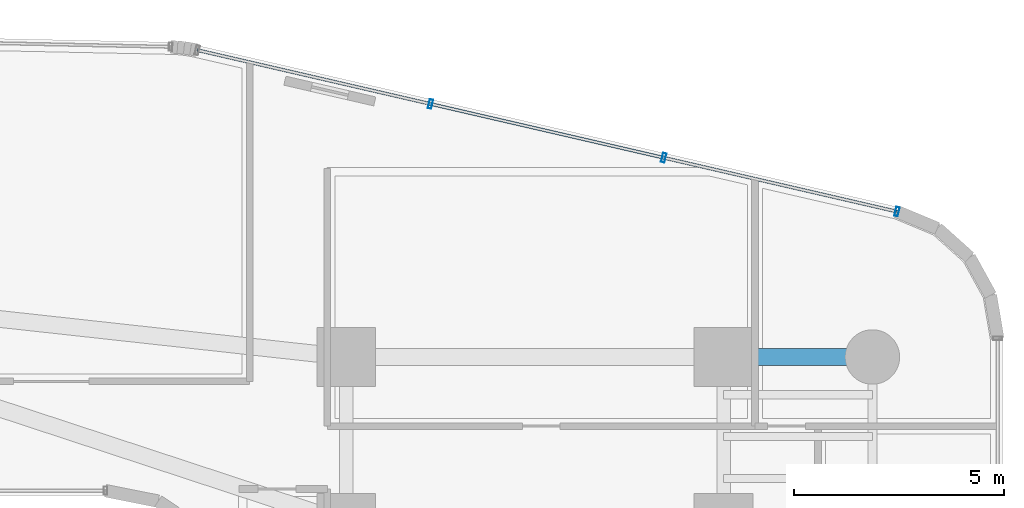
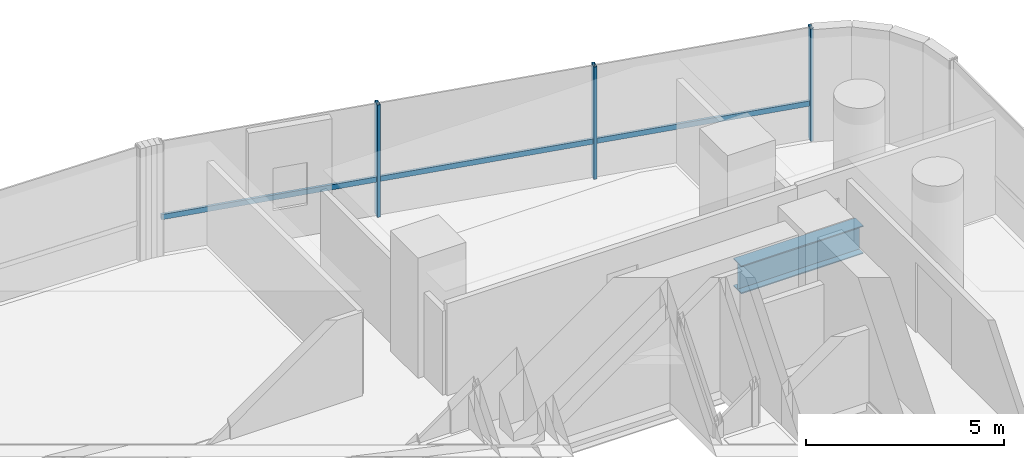
# One storey, part 25 of 40: 4 members, 1 beam, 1 element without a shape of its own.
"""IFC4 building model written with IfcOpenShell, lengths in metres."""

from ifc_helpers import new_model, si_unit, direction, frame, origin, origin_2d, place, context, subcontext, project, spatial, hollow_rectangle, i_section, extrude, source, transform, mapped, material, material_profile, profile_set, type_object, element, aggregate, save


model = new_model("IFC4")

# Units and contexts
model_context = context("Model", 3, precision=1e-05, world=origin(), true_north=direction((0.0, 1.0)))
body_context = subcontext(model_context, "Body", "Model", "MODEL_VIEW")
ifc_project = project(units=[si_unit("LENGTHUNIT", "METRE"), si_unit("AREAUNIT", "SQUARE_METRE"), si_unit("VOLUMEUNIT", "CUBIC_METRE"), si_unit("PLANEANGLEUNIT", "RADIAN"), si_unit("MASSUNIT", "GRAM", prefix="KILO")], contexts=[model_context])

# Site, building, storey
site_placement = place(None, origin())
site = spatial("IfcSite", under=ifc_project, at=site_placement, CompositionType="ELEMENT")
building_placement = place(site_placement, origin())
building = spatial("IfcBuilding", under=site, at=building_placement, Name="Valdorenza Pilgrim Sanctuary Tower", CompositionType="ELEMENT")
storey_placement = place(building_placement, frame((0.0, 0.0, 81.5)))
storey = spatial("IfcBuildingStorey", under=building, at=storey_placement, Name="L20", CompositionType="ELEMENT", Elevation=81.5)

# Beam
ifc_material_1 = material(Name="Steel ASTM A992 Grade 50", Category="steel")
ifc_material_profile_1 = material_profile(ifc_material_1, i_section(OverallWidth=0.39990234375, OverallDepth=0.862060546875, WebThickness=0.019775390625, FlangeThickness=0.032470703125, at=origin_2d()), Name="W33X221")
ifc_profile_set_1 = profile_set([ifc_material_profile_1], Name="Steel ASTM A992 Grade 50")
beam_type = type_object("IfcBeamType", Name="STR-BM-GRD-W33", PredefinedType="BEAM", material=ifc_profile_set_1)
shared_shape_1 = source(origin(), body_context, "Body", "SweptSolid", [
    extrude(i_section(OverallWidth=0.39990234375, OverallDepth=0.862060546875, WebThickness=0.019775390625, FlangeThickness=0.032470703125, at=origin_2d()), origin(), (0.0, 0.0, 1.0), 3.5498046875),
])
beam_placement = place(storey_placement, frame((24.85009765625, 13.5, -0.6708984375), z_axis=(1.0, 0.0, 0.0), x_axis=(0.0, 1.0, 0.0)))
element("IfcBeam", 1, at=beam_placement, inside=storey, type_object=beam_type, Name="L20 Floor Girder WB-XE-N2", PredefinedType="BEAM", context=body_context, shape_type="MappedRepresentation", body=[
    mapped(shared_shape_1, transform((0.0, 0.0, 0.0), x_axis=(1.0, 0.0, 0.0), y_axis=(0.0, 1.0, 0.0), z_axis=(0.0, 0.0, 1.0), scale=1.0)),
])

# Curtain wall, members
ifc_material_2 = material(Name="Curtain-wall IGU glazing", Category="glass")
curtain_wall_type = type_object("IfcCurtainWallType", Name="CW-SYS-03", PredefinedType="NOTDEFINED", material=ifc_material_2)
curtain_wall_placement = place(storey_placement, origin())
curtain_wall = element("IfcCurtainWall", 2, at=curtain_wall_placement, inside=storey, type_object=curtain_wall_type, Name="L20 Curtain Wall CW-L20-1-16", PredefinedType="NOTDEFINED")
ifc_material_3 = material(Name="Anodised aluminium AW-6060", Category="aluminium")
ifc_material_profile_2 = material_profile(ifc_material_3, hollow_rectangle(XDim=0.0849609375, YDim=0.219970703125, WallThickness=0.0048828125, at=origin_2d()), Name="ALU-M 220x85x5")
ifc_profile_set_2 = profile_set([ifc_material_profile_2], Name="Anodised aluminium AW-6060")
member_type_1 = type_object("IfcMemberType", Name="CW-MUL-03", PredefinedType="MULLION", material=ifc_profile_set_2)
shared_shape_2 = source(origin(), body_context, "Body", "SweptSolid", [
    extrude(hollow_rectangle(XDim=0.0849609375, YDim=0.219970703125, WallThickness=0.0048828125, at=origin_2d()), origin(), (0.0, 0.0, 1.0), 3.4599609375),
])
member_1_placement = place(storey_placement, frame((17.861328125, 19.534423828125, 0.0), z_axis=(0.0, 0.0, 1.0), x_axis=(0.974389691758, -0.224866023659, 0.0)))
member_1 = element("IfcMember", 3, at=member_1_placement, type_object=member_type_1, Name="CW-L20-1-16 Mullion 2", PredefinedType="MULLION", context=body_context, shape_type="MappedRepresentation", body=[
    mapped(shared_shape_2, transform((0.0, 0.0, 0.0), x_axis=(1.0, 0.0, 0.0), y_axis=(0.0, 1.0, 0.0), z_axis=(0.0, 0.0, 1.0), scale=1.0)),
])
member_2_placement = place(storey_placement, frame((23.423583984375, 18.2509765625, 0.0), z_axis=(0.0, 0.0, 1.0), x_axis=(0.974389691758, -0.224866023659, 0.0)))
member_2 = element("IfcMember", 4, at=member_2_placement, type_object=member_type_1, Name="CW-L20-1-16 Mullion 3", PredefinedType="MULLION", context=body_context, shape_type="MappedRepresentation", body=[
    mapped(shared_shape_2, transform((0.0, 0.0, 0.0), x_axis=(1.0, 0.0, 0.0), y_axis=(0.0, 1.0, 0.0), z_axis=(0.0, 0.0, 1.0), scale=1.0)),
])
member_3_placement = place(storey_placement, frame((28.98583984375, 16.96728515625, 0.0), z_axis=(0.0, 0.0, 1.0), x_axis=(0.974389691758, -0.224866023659, 0.0)))
member_3 = element("IfcMember", 5, at=member_3_placement, type_object=member_type_1, Name="CW-L20-1-16 Mullion 4", PredefinedType="MULLION", context=body_context, shape_type="MappedRepresentation", body=[
    mapped(shared_shape_2, transform((0.0, 0.0, 0.0), x_axis=(1.0, 0.0, 0.0), y_axis=(0.0, 1.0, 0.0), z_axis=(0.0, 0.0, 1.0), scale=1.0)),
])
ifc_material_profile_3 = material_profile(ifc_material_3, hollow_rectangle(XDim=0.074951171875, YDim=0.159912109375, WallThickness=0.00390625, at=origin_2d()), Name="ALU-T 160x75x4")
ifc_profile_set_3 = profile_set([ifc_material_profile_3], Name="Anodised aluminium AW-6060")
member_type_2 = type_object("IfcMemberType", Name="CW-TRN-03", PredefinedType="USERDEFINED", material=ifc_profile_set_3)
shared_shape_3 = source(origin(), body_context, "Body", "SweptSolid", [
    extrude(hollow_rectangle(XDim=0.074951171875, YDim=0.159912109375, WallThickness=0.00390625, at=origin_2d()), origin(), (0.0, 0.0, 1.0), 17.125244140625),
])
member_4_placement = place(storey_placement, frame((12.299072265625, 20.818115234375, 1.1201171875), z_axis=(0.974390715149, -0.224861589051, 0.0), x_axis=(0.224861589051, 0.974390715149, 0.0)))
member_4 = element("IfcMember", 6, at=member_4_placement, type_object=member_type_2, Name="CW-L20-1-16 Transom 1", ObjectType="TRANSOM", PredefinedType="USERDEFINED", context=body_context, shape_type="MappedRepresentation", body=[
    mapped(shared_shape_3, transform((0.0, 0.0, 0.0), x_axis=(1.0, 0.0, 0.0), y_axis=(0.0, 1.0, 0.0), z_axis=(0.0, 0.0, 1.0), scale=1.0)),
])
aggregate(curtain_wall, [member_1, member_2, member_3, member_4])

save(model, "model.ifc")
